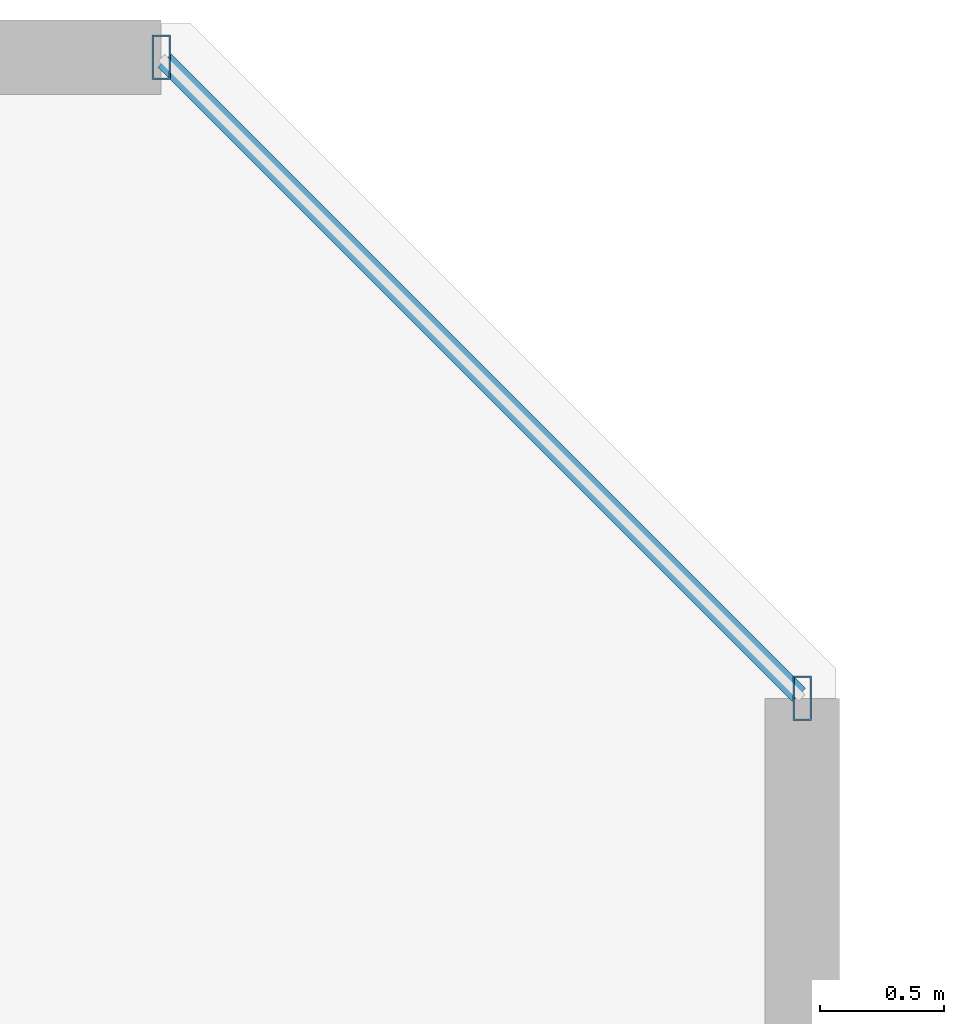
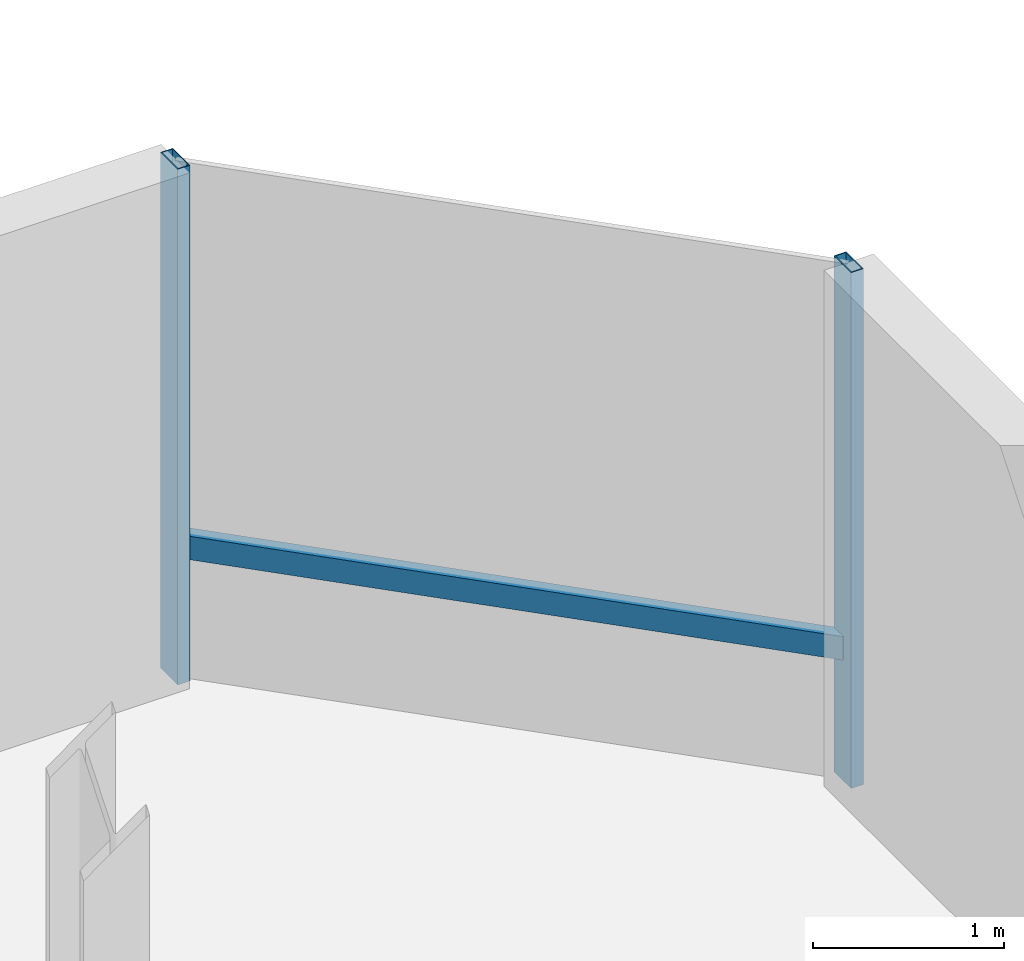
# One storey, part 16 of 42: 3 members, 1 element without a shape of its own.
"""IFC4 building model written with IfcOpenShell, lengths in metres."""

from ifc_helpers import new_model, si_unit, direction, frame, origin, origin_2d, place, context, subcontext, project, spatial, hollow_rectangle, extrude, material, material_profile, profile_set, type_object, element, aggregate, save


model = new_model("IFC4")

# Units and contexts
model_context = context("Model", 3, precision=1e-05, world=origin(), true_north=direction((0.0, 1.0)))
body_context = subcontext(model_context, "Body", "Model", "MODEL_VIEW")
ifc_project = project(units=[si_unit("LENGTHUNIT", "METRE"), si_unit("AREAUNIT", "SQUARE_METRE"), si_unit("VOLUMEUNIT", "CUBIC_METRE"), si_unit("PLANEANGLEUNIT", "RADIAN"), si_unit("MASSUNIT", "GRAM", prefix="KILO")], contexts=[model_context])

# Site, building, storey
site_placement = place(None, origin())
site = spatial("IfcSite", under=ifc_project, at=site_placement, CompositionType="ELEMENT")
building_placement = place(site_placement, origin())
building = spatial("IfcBuilding", under=site, at=building_placement, Name="Thornwick Lancets Civic Towers", CompositionType="ELEMENT")
storey_placement = place(building_placement, frame((0.0, 0.0, 221.699951171875)))
storey = spatial("IfcBuildingStorey", under=building, at=storey_placement, Name="L59", CompositionType="ELEMENT", Elevation=221.699951171875)

# Curtain wall, members
ifc_material_1 = material(Name="High-zone chamfered-corner unitised glass curtain wall", Category="glass")
curtain_wall_type = type_object("IfcCurtainWallType", Name="CW_SYS_05", PredefinedType="NOTDEFINED", material=ifc_material_1)
curtain_wall_placement = place(storey_placement, origin())
curtain_wall = element("IfcCurtainWall", 1, at=curtain_wall_placement, inside=storey, type_object=curtain_wall_type, Name="L59 Curtain Wall CW-L59-A-E3", PredefinedType="NOTDEFINED")
ifc_material_2 = material(Name="Thermally broken bronze aluminium S355", Category="steel")
ifc_material_profile_1 = material_profile(ifc_material_2, hollow_rectangle(XDim=0.074951171875, YDim=0.179931640625, WallThickness=0.006103515625, at=origin_2d()), Name="RHS 180x75x6")
ifc_profile_set_1 = profile_set([ifc_material_profile_1], Name="Thermally broken bronze aluminium S355")
member_type_1 = type_object("IfcMemberType", Name="CW_MUL_180", PredefinedType="MULLION", material=ifc_profile_set_1)
member_1_placement = place(storey_placement, frame((43.2646484375, 48.181396484375, 0.0), z_axis=(0.0, 0.0, 1.0), x_axis=(1.0, 0.0, 0.0)))
member_1 = element("IfcMember", 2, at=member_1_placement, type_object=member_type_1, Name="CW-L59-A-E3 Mullion 0", PredefinedType="MULLION", context=body_context, shape_type="SweptSolid", body=[
    extrude(hollow_rectangle(XDim=0.074951171875, YDim=0.179931640625, WallThickness=0.006103515625, at=origin_2d()), origin(), (0.0, 0.0, 1.0), 3.300048828125),
])
member_2_placement = place(storey_placement, frame((40.681396484375, 50.7646484375, 0.0), z_axis=(0.0, 0.0, 1.0), x_axis=(1.0, 0.0, 0.0)))
member_2 = element("IfcMember", 3, at=member_2_placement, type_object=member_type_1, Name="CW-L59-A-E3 Mullion 1", PredefinedType="MULLION", context=body_context, shape_type="SweptSolid", body=[
    extrude(hollow_rectangle(XDim=0.074951171875, YDim=0.179931640625, WallThickness=0.006103515625, at=origin_2d()), origin(), (0.0, 0.0, 1.0), 3.300048828125),
])
ifc_material_profile_2 = material_profile(ifc_material_2, hollow_rectangle(XDim=0.074951171875, YDim=0.14990234375, WallThickness=0.0048828125, at=origin_2d()), Name="RHS 150x75x5")
ifc_profile_set_2 = profile_set([ifc_material_profile_2], Name="Thermally broken bronze aluminium S355")
member_type_2 = type_object("IfcMemberType", Name="CW_TRN_150", PredefinedType="USERDEFINED", material=ifc_profile_set_2)
member_3_placement = place(storey_placement, frame((43.25048828125, 48.195556640625, 0.85009765625), z_axis=(-0.707106781187, 0.707106781187, 0.0), x_axis=(-0.707106781187, -0.707106781187, 0.0)))
member_3 = element("IfcMember", 4, at=member_3_placement, type_object=member_type_2, Name="CW-L59-A-E3 Transom 0", ObjectType="TRANSOM", PredefinedType="USERDEFINED", context=body_context, shape_type="SweptSolid", body=[
    extrude(hollow_rectangle(XDim=0.074951171875, YDim=0.14990234375, WallThickness=0.0048828125, at=origin_2d()), origin(), (0.0, 0.0, 1.0), 3.61328125),
])
aggregate(curtain_wall, [member_1, member_2, member_3])

save(model, "model.ifc")
